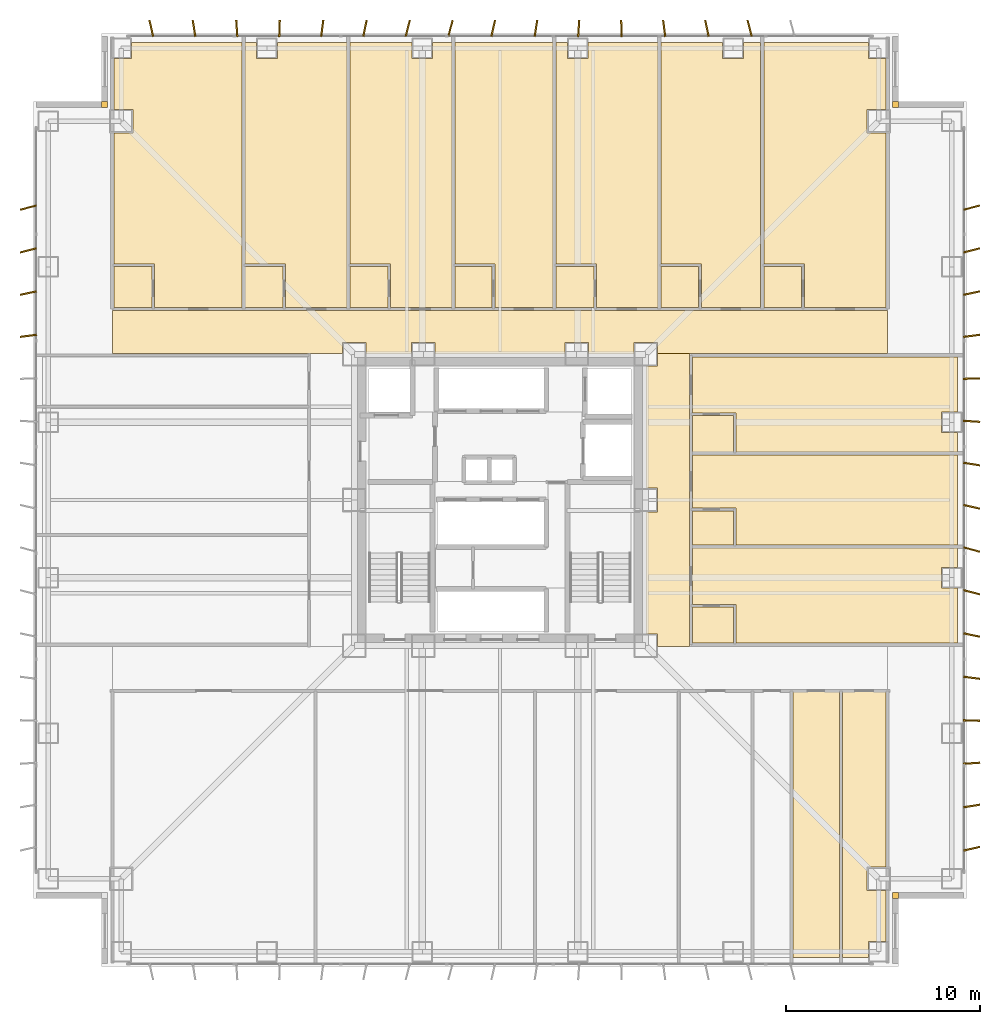
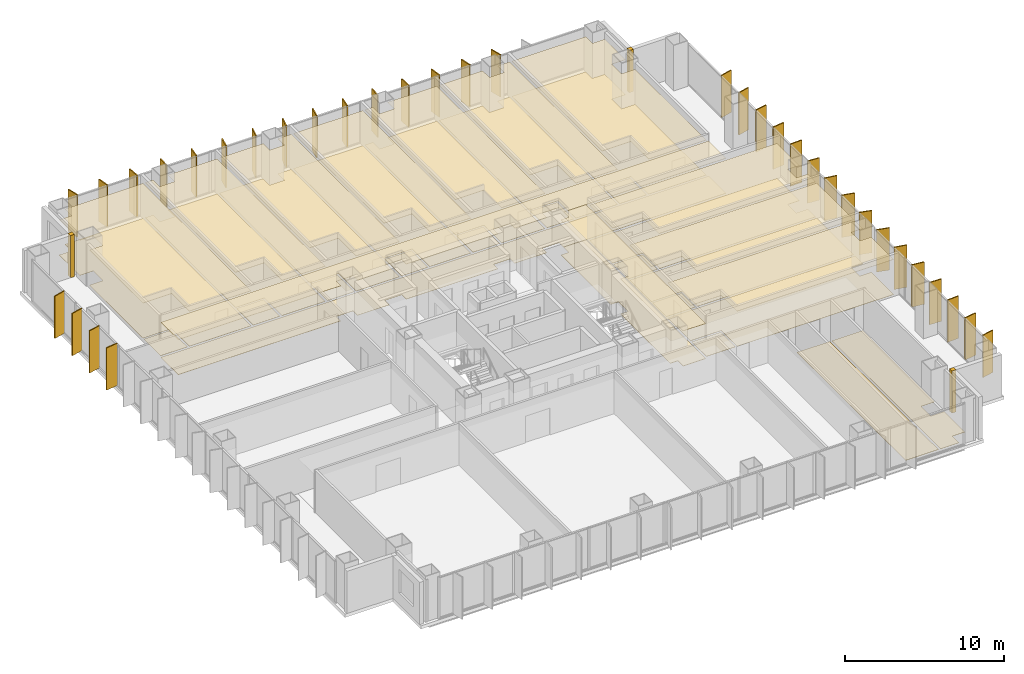
# One storey, part 16 of 17: 39 coverings, 35 shading devices.
"""IFC4 building model written with IfcOpenShell, lengths in metres."""

from ifc_helpers import new_model, si_unit, direction, frame, origin, origin_2d, place, context, subcontext, project, spatial, polyline, rectangle, outline, extrude, material, layer, layer_set, type_object, element, save


model = new_model("IFC4")

# Units and contexts
model_context = context("Model", 3, precision=1e-05, world=origin(), true_north=direction((0.0, 1.0)))
body_context = subcontext(model_context, "Body", "Model", "MODEL_VIEW")
ifc_project = project(units=[si_unit("LENGTHUNIT", "METRE"), si_unit("AREAUNIT", "SQUARE_METRE"), si_unit("VOLUMEUNIT", "CUBIC_METRE"), si_unit("PLANEANGLEUNIT", "RADIAN"), si_unit("MASSUNIT", "GRAM", prefix="KILO")], contexts=[model_context])

# Site, building, storey
site_placement = place(None, origin())
site = spatial("IfcSite", under=ifc_project, at=site_placement, CompositionType="ELEMENT")
building_placement = place(site_placement, origin())
building = spatial("IfcBuilding", under=site, at=building_placement, Name="Trevonay Congress Spire", CompositionType="ELEMENT")
storey_placement = place(building_placement, frame((0.0, 0.0, 69.0)))
storey = spatial("IfcBuildingStorey", under=building, at=storey_placement, Name="L17", CompositionType="ELEMENT", Elevation=69.0)

# Coverings
ifc_material_1 = material(Name="Acoustic Mineral Fibre Board", Category="gypsum")
ifc_layer_1 = layer(ifc_material_1, 0.02490234375, Name="Acoustic Mineral Fibre Board")
ifc_layer_set_1 = layer_set([ifc_layer_1], Name="Acoustic Mineral Fibre Board")
covering_type_1 = type_object("IfcCoveringType", Name="COV-CEIL-ACOUSTIC", PredefinedType="CEILING", material=ifc_layer_set_1)
covering_1_placement = place(storey_placement, frame((0.0, 0.0, 2.699951171875)))
element("IfcCovering", 1, at=covering_1_placement, inside=storey, type_object=covering_type_1, Name="L17 Hotel Floor Corridor North acoustic suspended ceiling", PredefinedType="CEILING", context=body_context, shape_type="SweptSolid", body=[
    extrude(outline(polyline([(-19.949951171875, 7.550048828125), (-19.949951171875, 9.75), (19.949951171875, 9.75), (19.949951171875, 7.550048828125), (8.110107421875, 7.550048828125), (8.110107421875, 8.110107421875), (6.889892578125, 8.110107421875), (6.889892578125, 7.550048828125), (4.56005859375, 7.550048828125), (4.56005859375, 8.110107421875), (3.340087890625, 8.110107421875), (3.340087890625, 7.550048828125), (-3.340087890625, 7.550048828125), (-3.340087890625, 8.110107421875), (-4.56005859375, 8.110107421875), (-4.56005859375, 7.550048828125), (-6.889892578125, 7.550048828125), (-6.889892578125, 8.110107421875), (-8.110107421875, 8.110107421875), (-8.110107421875, 7.550048828125), (-19.949951171875, 7.550048828125)])), origin(), (0.0, 0.0, 1.0), 0.025146484375),
])
covering_2_placement = place(storey_placement, frame((0.0, 0.0, 2.699951171875)))
element("IfcCovering", 2, at=covering_2_placement, inside=storey, type_object=covering_type_1, Name="L17 Hotel Floor Corridor East acoustic suspended ceiling", PredefinedType="CEILING", context=body_context, shape_type="SweptSolid", body=[
    extrude(outline(polyline([(9.75, -7.550048828125), (8.110107421875, -7.550048828125), (8.110107421875, -6.889892578125), (7.550048828125, -6.889892578125), (7.550048828125, -0.610107421875), (8.110107421875, -0.610107421875), (8.110107421875, 0.610107421875), (7.550048828125, 0.610107421875), (7.550048828125, 6.889892578125), (8.110107421875, 6.889892578125), (8.110107421875, 7.550048828125), (9.75, 7.550048828125), (9.75, -7.550048828125)])), origin(), (0.0, 0.0, 1.0), 0.025146484375),
])
covering_3_placement = place(storey_placement, frame((0.0, 0.0, 2.699951171875)))
element("IfcCovering", 3, at=covering_3_placement, inside=storey, type_object=covering_type_1, Name="L17 Corner Hotel Suite acoustic suspended ceiling", PredefinedType="CEILING", context=body_context, shape_type="SweptSolid", body=[
    extrude(outline(polyline([(-13.280029296875, 23.550048828125), (-13.280029296875, 9.909912109375), (-17.780029296875, 9.909912109375), (-17.780029296875, 12.139892578125), (-19.8701171875, 12.139892578125), (-19.8701171875, 18.889892578125), (-18.889892578125, 18.889892578125), (-18.889892578125, 20.110107421875), (-19.8701171875, 20.110107421875), (-19.8701171875, 22.715087890625), (-18.965087890625, 22.715087890625), (-18.965087890625, 23.550048828125), (-13.280029296875, 23.550048828125)])), origin(), (0.0, 0.0, 1.0), 0.025146484375),
])
covering_4_placement = place(storey_placement, frame((0.0, 0.0, 2.699951171875)))
element("IfcCovering", 4, at=covering_4_placement, inside=storey, type_object=covering_type_1, Name="L17 Hotel Guest Room acoustic suspended ceiling", PredefinedType="CEILING", context=body_context, shape_type="SweptSolid", body=[
    extrude(outline(polyline([(-7.8798828125, 23.550048828125), (-7.8798828125, 9.909912109375), (-11.030029296875, 9.909912109375), (-11.030029296875, 12.139892578125), (-13.1201171875, 12.139892578125), (-13.1201171875, 23.550048828125), (-12.534912109375, 23.550048828125), (-12.534912109375, 22.715087890625), (-11.465087890625, 22.715087890625), (-11.465087890625, 23.550048828125), (-7.8798828125, 23.550048828125)])), origin(), (0.0, 0.0, 1.0), 0.025146484375),
])
covering_5_placement = place(storey_placement, frame((0.0, 0.0, 2.699951171875)))
element("IfcCovering", 5, at=covering_5_placement, inside=storey, type_object=covering_type_1, Name="L17 Hotel Guest Room acoustic suspended ceiling", PredefinedType="CEILING", context=body_context, shape_type="SweptSolid", body=[
    extrude(outline(polyline([(-2.47998046875, 23.550048828125), (-2.47998046875, 9.909912109375), (-5.6298828125, 9.909912109375), (-5.6298828125, 12.139892578125), (-7.719970703125, 12.139892578125), (-7.719970703125, 23.550048828125), (-4.534912109375, 23.550048828125), (-4.534912109375, 22.715087890625), (-3.465087890625, 22.715087890625), (-3.465087890625, 23.550048828125), (-2.47998046875, 23.550048828125)])), origin(), (0.0, 0.0, 1.0), 0.025146484375),
])
covering_6_placement = place(storey_placement, frame((0.0, 0.0, 2.699951171875)))
element("IfcCovering", 6, at=covering_6_placement, inside=storey, type_object=covering_type_1, Name="L17 Hotel Guest Room acoustic suspended ceiling", PredefinedType="CEILING", context=body_context, shape_type="SweptSolid", body=[
    extrude(outline(polyline([(-0.264892578125, 9.909912109375), (2.719970703125, 9.909912109375), (2.719970703125, 23.550048828125), (-2.320068359375, 23.550048828125), (-2.320068359375, 12.139892578125), (-0.264892578125, 12.139892578125), (-0.264892578125, 9.909912109375)])), origin(), (0.0, 0.0, 1.0), 0.025146484375),
])
covering_7_placement = place(storey_placement, frame((0.0, 0.0, 2.699951171875)))
element("IfcCovering", 7, at=covering_7_placement, inside=storey, type_object=covering_type_1, Name="L17 Hotel Guest Room acoustic suspended ceiling", PredefinedType="CEILING", context=body_context, shape_type="SweptSolid", body=[
    extrude(outline(polyline([(8.1201171875, 23.550048828125), (8.1201171875, 9.909912109375), (4.969970703125, 9.909912109375), (4.969970703125, 12.139892578125), (2.8798828125, 12.139892578125), (2.8798828125, 23.550048828125), (3.465087890625, 23.550048828125), (3.465087890625, 22.715087890625), (4.534912109375, 22.715087890625), (4.534912109375, 23.550048828125), (8.1201171875, 23.550048828125)])), origin(), (0.0, 0.0, 1.0), 0.025146484375),
])
covering_8_placement = place(storey_placement, frame((0.0, 0.0, 2.699951171875)))
element("IfcCovering", 8, at=covering_8_placement, inside=storey, type_object=covering_type_1, Name="L17 Hotel Guest Room acoustic suspended ceiling", PredefinedType="CEILING", context=body_context, shape_type="SweptSolid", body=[
    extrude(outline(polyline([(13.419921875, 23.550048828125), (13.419921875, 9.909912109375), (10.3701171875, 9.909912109375), (10.3701171875, 12.139892578125), (8.280029296875, 12.139892578125), (8.280029296875, 23.550048828125), (11.465087890625, 23.550048828125), (11.465087890625, 22.715087890625), (12.534912109375, 22.715087890625), (12.534912109375, 23.550048828125), (13.419921875, 23.550048828125)])), origin(), (0.0, 0.0, 1.0), 0.025146484375),
])
covering_9_placement = place(storey_placement, frame((0.0, 0.0, 2.699951171875)))
element("IfcCovering", 9, at=covering_9_placement, inside=storey, type_object=covering_type_1, Name="L17 Corner Hotel Suite acoustic suspended ceiling", PredefinedType="CEILING", context=body_context, shape_type="SweptSolid", body=[
    extrude(outline(polyline([(19.8701171875, 9.909912109375), (15.669921875, 9.909912109375), (15.669921875, 12.139892578125), (13.580078125, 12.139892578125), (13.580078125, 23.550048828125), (18.965087890625, 23.550048828125), (18.965087890625, 22.715087890625), (19.8701171875, 22.715087890625), (19.8701171875, 20.110107421875), (18.889892578125, 20.110107421875), (18.889892578125, 18.889892578125), (19.8701171875, 18.889892578125), (19.8701171875, 9.909912109375)])), origin(), (0.0, 0.0, 1.0), 0.025146484375),
])
covering_10_placement = place(storey_placement, frame((0.0, 0.0, 2.699951171875)))
element("IfcCovering", 10, at=covering_10_placement, inside=storey, type_object=covering_type_1, Name="L17 Hotel Guest Room acoustic suspended ceiling", PredefinedType="CEILING", context=body_context, shape_type="SweptSolid", body=[
    extrude(outline(polyline([(9.909912109375, -2.47998046875), (23.550048828125, -2.47998046875), (23.550048828125, -3.465087890625), (22.715087890625, -3.465087890625), (22.715087890625, -4.534912109375), (23.550048828125, -4.534912109375), (23.550048828125, -7.3701171875), (12.139892578125, -7.3701171875), (12.139892578125, -5.3720703125), (9.909912109375, -5.3720703125), (9.909912109375, -2.47998046875)])), origin(), (0.0, 0.0, 1.0), 0.025146484375),
])
covering_11_placement = place(storey_placement, frame((0.0, 0.0, 2.699951171875)))
element("IfcCovering", 11, at=covering_11_placement, inside=storey, type_object=covering_type_1, Name="L17 Corner Hotel Suite acoustic suspended ceiling", PredefinedType="CEILING", context=body_context, shape_type="SweptSolid", body=[
    extrude(outline(polyline([(9.909912109375, -0.4169921875), (9.909912109375, 2.320068359375), (23.550048828125, 2.320068359375), (23.550048828125, -2.320068359375), (12.139892578125, -2.320068359375), (12.139892578125, -0.4169921875), (9.909912109375, -0.4169921875)])), origin(), (0.0, 0.0, 1.0), 0.025146484375),
])
covering_12_placement = place(storey_placement, frame((0.0, 0.0, 2.699951171875)))
element("IfcCovering", 12, at=covering_12_placement, inside=storey, type_object=covering_type_1, Name="L17 Hotel Guest Room acoustic suspended ceiling", PredefinedType="CEILING", context=body_context, shape_type="SweptSolid", body=[
    extrude(outline(polyline([(9.909912109375, 7.3701171875), (23.550048828125, 7.3701171875), (23.550048828125, 4.534912109375), (22.715087890625, 4.534912109375), (22.715087890625, 3.465087890625), (23.550048828125, 3.465087890625), (23.550048828125, 2.47998046875), (12.139892578125, 2.47998046875), (12.139892578125, 4.47802734375), (9.909912109375, 4.47802734375), (9.909912109375, 7.3701171875)])), origin(), (0.0, 0.0, 1.0), 0.025146484375),
])
ifc_material_2 = material(Name="Polished Granite Floor Tile", Category="masonry")
ifc_layer_2 = layer(ifc_material_2, 0.02001953125, Name="Polished Granite Floor Tile")
ifc_layer_set_2 = layer_set([ifc_layer_2], Name="Polished Granite Floor Tile")
covering_type_2 = type_object("IfcCoveringType", Name="COV-FLOOR-STONE", PredefinedType="FLOORING", material=ifc_layer_set_2)
covering_13_placement = place(storey_placement, origin())
element("IfcCovering", 13, at=covering_13_placement, inside=storey, type_object=covering_type_2, Name="L17 Hotel Floor Corridor North floor finish", PredefinedType="FLOORING", context=body_context, shape_type="SweptSolid", body=[
    extrude(outline(polyline([(-19.949951171875, 7.550048828125), (-19.949951171875, 9.75), (19.949951171875, 9.75), (19.949951171875, 7.550048828125), (8.110107421875, 7.550048828125), (8.110107421875, 8.110107421875), (6.889892578125, 8.110107421875), (6.889892578125, 7.550048828125), (4.56005859375, 7.550048828125), (4.56005859375, 8.110107421875), (3.340087890625, 8.110107421875), (3.340087890625, 7.550048828125), (-3.340087890625, 7.550048828125), (-3.340087890625, 8.110107421875), (-4.56005859375, 8.110107421875), (-4.56005859375, 7.550048828125), (-6.889892578125, 7.550048828125), (-6.889892578125, 8.110107421875), (-8.110107421875, 8.110107421875), (-8.110107421875, 7.550048828125), (-19.949951171875, 7.550048828125)])), origin(), (0.0, 0.0, 1.0), 0.02001953125),
])
covering_14_placement = place(storey_placement, origin())
element("IfcCovering", 14, at=covering_14_placement, inside=storey, type_object=covering_type_2, Name="L17 Hotel Floor Corridor East floor finish", PredefinedType="FLOORING", context=body_context, shape_type="SweptSolid", body=[
    extrude(outline(polyline([(9.75, -7.550048828125), (8.110107421875, -7.550048828125), (8.110107421875, -6.889892578125), (7.550048828125, -6.889892578125), (7.550048828125, -0.610107421875), (8.110107421875, -0.610107421875), (8.110107421875, 0.610107421875), (7.550048828125, 0.610107421875), (7.550048828125, 6.889892578125), (8.110107421875, 6.889892578125), (8.110107421875, 7.550048828125), (9.75, 7.550048828125), (9.75, -7.550048828125)])), origin(), (0.0, 0.0, 1.0), 0.02001953125),
])
covering_15_placement = place(storey_placement, origin())
element("IfcCovering", 15, at=covering_15_placement, inside=storey, type_object=covering_type_2, Name="L17 Female Restroom WC floor finish", PredefinedType="FLOORING", context=body_context, shape_type="SweptSolid", body=[
    extrude(outline(polyline([(15.080078125, -23.550048828125), (17.469970703125, -23.550048828125), (17.469970703125, -9.830078125), (15.080078125, -9.830078125), (15.080078125, -23.550048828125)])), origin(), (0.0, 0.0, 1.0), 0.02001953125),
])
covering_16_placement = place(storey_placement, origin())
element("IfcCovering", 16, at=covering_16_placement, inside=storey, type_object=covering_type_2, Name="L17 Floor Supplies and Copy Room floor finish", PredefinedType="FLOORING", context=body_context, shape_type="SweptSolid", body=[
    extrude(outline(polyline([(17.6298828125, -23.550048828125), (17.6298828125, -9.830078125), (19.8701171875, -9.830078125), (19.8701171875, -18.889892578125), (18.889892578125, -18.889892578125), (18.889892578125, -20.110107421875), (19.8701171875, -20.110107421875), (19.8701171875, -22.715087890625), (18.965087890625, -22.715087890625), (18.965087890625, -23.550048828125), (17.6298828125, -23.550048828125)])), origin(), (0.0, 0.0, 1.0), 0.02001953125),
])
covering_17_placement = place(storey_placement, origin())
element("IfcCovering", 17, at=covering_17_placement, inside=storey, type_object=covering_type_2, Name="L17 En-suite Bathroom floor finish", PredefinedType="FLOORING", context=body_context, shape_type="SweptSolid", body=[
    extrude(outline(polyline([(-19.8701171875, 9.909912109375), (-17.919921875, 9.909912109375), (-17.919921875, 12.02001953125), (-19.8701171875, 12.02001953125), (-19.8701171875, 9.909912109375)])), origin(), (0.0, 0.0, 1.0), 0.02001953125),
])
covering_18_placement = place(storey_placement, origin())
element("IfcCovering", 18, at=covering_18_placement, inside=storey, type_object=covering_type_2, Name="L17 En-suite Bathroom floor finish", PredefinedType="FLOORING", context=body_context, shape_type="SweptSolid", body=[
    extrude(outline(polyline([(-13.1201171875, 9.909912109375), (-11.169921875, 9.909912109375), (-11.169921875, 12.02001953125), (-13.1201171875, 12.02001953125), (-13.1201171875, 9.909912109375)])), origin(), (0.0, 0.0, 1.0), 0.02001953125),
])
covering_19_placement = place(storey_placement, origin())
element("IfcCovering", 19, at=covering_19_placement, inside=storey, type_object=covering_type_2, Name="L17 En-suite Bathroom floor finish", PredefinedType="FLOORING", context=body_context, shape_type="SweptSolid", body=[
    extrude(outline(polyline([(-7.719970703125, 9.909912109375), (-5.77001953125, 9.909912109375), (-5.77001953125, 12.02001953125), (-7.719970703125, 12.02001953125), (-7.719970703125, 9.909912109375)])), origin(), (0.0, 0.0, 1.0), 0.02001953125),
])
covering_20_placement = place(storey_placement, origin())
element("IfcCovering", 20, at=covering_20_placement, inside=storey, type_object=covering_type_2, Name="L17 En-suite Bathroom floor finish", PredefinedType="FLOORING", context=body_context, shape_type="SweptSolid", body=[
    extrude(outline(polyline([(-2.320068359375, 9.909912109375), (-0.405029296875, 9.909912109375), (-0.405029296875, 12.02001953125), (-2.320068359375, 12.02001953125), (-2.320068359375, 9.909912109375)])), origin(), (0.0, 0.0, 1.0), 0.02001953125),
])
covering_21_placement = place(storey_placement, origin())
element("IfcCovering", 21, at=covering_21_placement, inside=storey, type_object=covering_type_2, Name="L17 En-suite Bathroom floor finish", PredefinedType="FLOORING", context=body_context, shape_type="SweptSolid", body=[
    extrude(outline(polyline([(2.8798828125, 9.909912109375), (4.830078125, 9.909912109375), (4.830078125, 12.02001953125), (2.8798828125, 12.02001953125), (2.8798828125, 9.909912109375)])), origin(), (0.0, 0.0, 1.0), 0.02001953125),
])
covering_22_placement = place(storey_placement, origin())
element("IfcCovering", 22, at=covering_22_placement, inside=storey, type_object=covering_type_2, Name="L17 En-suite Bathroom floor finish", PredefinedType="FLOORING", context=body_context, shape_type="SweptSolid", body=[
    extrude(outline(polyline([(8.280029296875, 9.909912109375), (10.22998046875, 9.909912109375), (10.22998046875, 12.02001953125), (8.280029296875, 12.02001953125), (8.280029296875, 9.909912109375)])), origin(), (0.0, 0.0, 1.0), 0.02001953125),
])
covering_23_placement = place(storey_placement, origin())
element("IfcCovering", 23, at=covering_23_placement, inside=storey, type_object=covering_type_2, Name="L17 En-suite Bathroom floor finish", PredefinedType="FLOORING", context=body_context, shape_type="SweptSolid", body=[
    extrude(outline(polyline([(13.580078125, 9.909912109375), (15.530029296875, 9.909912109375), (15.530029296875, 12.02001953125), (13.580078125, 12.02001953125), (13.580078125, 9.909912109375)])), origin(), (0.0, 0.0, 1.0), 0.02001953125),
])
covering_24_placement = place(storey_placement, origin())
element("IfcCovering", 24, at=covering_24_placement, inside=storey, type_object=covering_type_2, Name="L17 En-suite Bathroom floor finish", PredefinedType="FLOORING", context=body_context, shape_type="SweptSolid", body=[
    extrude(outline(polyline([(9.909912109375, -7.3701171875), (12.02001953125, -7.3701171875), (12.02001953125, -5.511962890625), (9.909912109375, -5.511962890625), (9.909912109375, -7.3701171875)])), origin(), (0.0, 0.0, 1.0), 0.02001953125),
])
covering_25_placement = place(storey_placement, origin())
element("IfcCovering", 25, at=covering_25_placement, inside=storey, type_object=covering_type_2, Name="L17 En-suite Bathroom floor finish", PredefinedType="FLOORING", context=body_context, shape_type="SweptSolid", body=[
    extrude(outline(polyline([(9.909912109375, -2.320068359375), (12.02001953125, -2.320068359375), (12.02001953125, -0.556884765625), (9.909912109375, -0.556884765625), (9.909912109375, -2.320068359375)])), origin(), (0.0, 0.0, 1.0), 0.02001953125),
])
covering_26_placement = place(storey_placement, origin())
element("IfcCovering", 26, at=covering_26_placement, inside=storey, type_object=covering_type_2, Name="L17 En-suite Bathroom floor finish", PredefinedType="FLOORING", context=body_context, shape_type="SweptSolid", body=[
    extrude(outline(polyline([(9.909912109375, 2.47998046875), (12.02001953125, 2.47998046875), (12.02001953125, 4.337890625), (9.909912109375, 4.337890625), (9.909912109375, 2.47998046875)])), origin(), (0.0, 0.0, 1.0), 0.02001953125),
])
ifc_material_3 = material(Name="Engineered Oak Flooring", Category="wood")
ifc_layer_3 = layer(ifc_material_3, 0.01806640625, Name="Engineered Oak Flooring")
ifc_layer_set_3 = layer_set([ifc_layer_3], Name="Engineered Oak Flooring")
covering_type_3 = type_object("IfcCoveringType", Name="COV-FLOOR-TIMBER", PredefinedType="FLOORING", material=ifc_layer_set_3)
covering_27_placement = place(storey_placement, origin())
element("IfcCovering", 27, at=covering_27_placement, inside=storey, type_object=covering_type_3, Name="L17 Corner Hotel Suite floor finish", PredefinedType="FLOORING", context=body_context, shape_type="SweptSolid", body=[
    extrude(outline(polyline([(-13.280029296875, 23.550048828125), (-13.280029296875, 9.909912109375), (-17.780029296875, 9.909912109375), (-17.780029296875, 12.139892578125), (-19.8701171875, 12.139892578125), (-19.8701171875, 18.889892578125), (-18.889892578125, 18.889892578125), (-18.889892578125, 20.110107421875), (-19.8701171875, 20.110107421875), (-19.8701171875, 22.715087890625), (-18.965087890625, 22.715087890625), (-18.965087890625, 23.550048828125), (-13.280029296875, 23.550048828125)])), origin(), (0.0, 0.0, 1.0), 0.01806640625),
])
covering_28_placement = place(storey_placement, origin())
element("IfcCovering", 28, at=covering_28_placement, inside=storey, type_object=covering_type_3, Name="L17 Hotel Guest Room floor finish", PredefinedType="FLOORING", context=body_context, shape_type="SweptSolid", body=[
    extrude(outline(polyline([(-7.8798828125, 23.550048828125), (-7.8798828125, 9.909912109375), (-11.030029296875, 9.909912109375), (-11.030029296875, 12.139892578125), (-13.1201171875, 12.139892578125), (-13.1201171875, 23.550048828125), (-12.534912109375, 23.550048828125), (-12.534912109375, 22.715087890625), (-11.465087890625, 22.715087890625), (-11.465087890625, 23.550048828125), (-7.8798828125, 23.550048828125)])), origin(), (0.0, 0.0, 1.0), 0.01806640625),
])
covering_29_placement = place(storey_placement, origin())
element("IfcCovering", 29, at=covering_29_placement, inside=storey, type_object=covering_type_3, Name="L17 Hotel Guest Room floor finish", PredefinedType="FLOORING", context=body_context, shape_type="SweptSolid", body=[
    extrude(outline(polyline([(-2.47998046875, 23.550048828125), (-2.47998046875, 9.909912109375), (-5.6298828125, 9.909912109375), (-5.6298828125, 12.139892578125), (-7.719970703125, 12.139892578125), (-7.719970703125, 23.550048828125), (-4.534912109375, 23.550048828125), (-4.534912109375, 22.715087890625), (-3.465087890625, 22.715087890625), (-3.465087890625, 23.550048828125), (-2.47998046875, 23.550048828125)])), origin(), (0.0, 0.0, 1.0), 0.01806640625),
])
covering_30_placement = place(storey_placement, origin())
element("IfcCovering", 30, at=covering_30_placement, inside=storey, type_object=covering_type_3, Name="L17 Hotel Guest Room floor finish", PredefinedType="FLOORING", context=body_context, shape_type="SweptSolid", body=[
    extrude(outline(polyline([(-0.264892578125, 9.909912109375), (2.719970703125, 9.909912109375), (2.719970703125, 23.550048828125), (-2.320068359375, 23.550048828125), (-2.320068359375, 12.139892578125), (-0.264892578125, 12.139892578125), (-0.264892578125, 9.909912109375)])), origin(), (0.0, 0.0, 1.0), 0.01806640625),
])
covering_31_placement = place(storey_placement, origin())
element("IfcCovering", 31, at=covering_31_placement, inside=storey, type_object=covering_type_3, Name="L17 Hotel Guest Room floor finish", PredefinedType="FLOORING", context=body_context, shape_type="SweptSolid", body=[
    extrude(outline(polyline([(8.1201171875, 23.550048828125), (8.1201171875, 9.909912109375), (4.969970703125, 9.909912109375), (4.969970703125, 12.139892578125), (2.8798828125, 12.139892578125), (2.8798828125, 23.550048828125), (3.465087890625, 23.550048828125), (3.465087890625, 22.715087890625), (4.534912109375, 22.715087890625), (4.534912109375, 23.550048828125), (8.1201171875, 23.550048828125)])), origin(), (0.0, 0.0, 1.0), 0.01806640625),
])
covering_32_placement = place(storey_placement, origin())
element("IfcCovering", 32, at=covering_32_placement, inside=storey, type_object=covering_type_3, Name="L17 Hotel Guest Room floor finish", PredefinedType="FLOORING", context=body_context, shape_type="SweptSolid", body=[
    extrude(outline(polyline([(13.419921875, 23.550048828125), (13.419921875, 9.909912109375), (10.3701171875, 9.909912109375), (10.3701171875, 12.139892578125), (8.280029296875, 12.139892578125), (8.280029296875, 23.550048828125), (11.465087890625, 23.550048828125), (11.465087890625, 22.715087890625), (12.534912109375, 22.715087890625), (12.534912109375, 23.550048828125), (13.419921875, 23.550048828125)])), origin(), (0.0, 0.0, 1.0), 0.01806640625),
])
covering_33_placement = place(storey_placement, origin())
element("IfcCovering", 33, at=covering_33_placement, inside=storey, type_object=covering_type_3, Name="L17 Corner Hotel Suite floor finish", PredefinedType="FLOORING", context=body_context, shape_type="SweptSolid", body=[
    extrude(outline(polyline([(19.8701171875, 9.909912109375), (15.669921875, 9.909912109375), (15.669921875, 12.139892578125), (13.580078125, 12.139892578125), (13.580078125, 23.550048828125), (18.965087890625, 23.550048828125), (18.965087890625, 22.715087890625), (19.8701171875, 22.715087890625), (19.8701171875, 20.110107421875), (18.889892578125, 20.110107421875), (18.889892578125, 18.889892578125), (19.8701171875, 18.889892578125), (19.8701171875, 9.909912109375)])), origin(), (0.0, 0.0, 1.0), 0.01806640625),
])
covering_34_placement = place(storey_placement, origin())
element("IfcCovering", 34, at=covering_34_placement, inside=storey, type_object=covering_type_3, Name="L17 Hotel Guest Room floor finish", PredefinedType="FLOORING", context=body_context, shape_type="SweptSolid", body=[
    extrude(outline(polyline([(9.909912109375, -2.47998046875), (23.550048828125, -2.47998046875), (23.550048828125, -3.465087890625), (22.715087890625, -3.465087890625), (22.715087890625, -4.534912109375), (23.550048828125, -4.534912109375), (23.550048828125, -7.3701171875), (12.139892578125, -7.3701171875), (12.139892578125, -5.3720703125), (9.909912109375, -5.3720703125), (9.909912109375, -2.47998046875)])), origin(), (0.0, 0.0, 1.0), 0.01806640625),
])
covering_35_placement = place(storey_placement, origin())
element("IfcCovering", 35, at=covering_35_placement, inside=storey, type_object=covering_type_3, Name="L17 Corner Hotel Suite floor finish", PredefinedType="FLOORING", context=body_context, shape_type="SweptSolid", body=[
    extrude(outline(polyline([(9.909912109375, -0.4169921875), (9.909912109375, 2.320068359375), (23.550048828125, 2.320068359375), (23.550048828125, -2.320068359375), (12.139892578125, -2.320068359375), (12.139892578125, -0.4169921875), (9.909912109375, -0.4169921875)])), origin(), (0.0, 0.0, 1.0), 0.01806640625),
])
covering_36_placement = place(storey_placement, origin())
element("IfcCovering", 36, at=covering_36_placement, inside=storey, type_object=covering_type_3, Name="L17 Hotel Guest Room floor finish", PredefinedType="FLOORING", context=body_context, shape_type="SweptSolid", body=[
    extrude(outline(polyline([(9.909912109375, 7.3701171875), (23.550048828125, 7.3701171875), (23.550048828125, 4.534912109375), (22.715087890625, 4.534912109375), (22.715087890625, 3.465087890625), (23.550048828125, 3.465087890625), (23.550048828125, 2.47998046875), (12.139892578125, 2.47998046875), (12.139892578125, 4.47802734375), (9.909912109375, 4.47802734375), (9.909912109375, 7.3701171875)])), origin(), (0.0, 0.0, 1.0), 0.01806640625),
])
ifc_material_4 = material(Name="Pale Anodised Aluminium EN AW-6063-T6", Category="aluminium")
ifc_layer_4 = layer(ifc_material_4, 0.0400390625, Name="Pale Anodised Aluminium EN AW-6063-T6")
ifc_layer_set_4 = layer_set([ifc_layer_4], Name="Pale Anodised Aluminium EN AW-6063-T6")
covering_type_4 = type_object("IfcCoveringType", Name="COV-SPANDREL-PALE-METAL", PredefinedType="CLADDING", material=ifc_layer_set_4)
covering_37_placement = place(storey_placement, origin())
element("IfcCovering", 37, at=covering_37_placement, inside=storey, type_object=covering_type_4, Name="L17 SE re-entrant notch corner closure trim", PredefinedType="CLADDING", context=body_context, shape_type="SweptSolid", body=[
    extrude(outline(polyline([(20.199951171875, -20.5), (20.5, -20.5), (20.5, -20.199951171875), (20.199951171875, -20.199951171875), (20.199951171875, -20.5)])), origin(), (0.0, 0.0, 1.0), 3.25),
])
covering_38_placement = place(storey_placement, origin())
element("IfcCovering", 38, at=covering_38_placement, inside=storey, type_object=covering_type_4, Name="L17 NE re-entrant notch corner closure trim", PredefinedType="CLADDING", context=body_context, shape_type="SweptSolid", body=[
    extrude(outline(polyline([(20.199951171875, 20.199951171875), (20.5, 20.199951171875), (20.5, 20.5), (20.199951171875, 20.5), (20.199951171875, 20.199951171875)])), origin(), (0.0, 0.0, 1.0), 3.25),
])
covering_39_placement = place(storey_placement, origin())
element("IfcCovering", 39, at=covering_39_placement, inside=storey, type_object=covering_type_4, Name="L17 NW re-entrant notch corner closure trim", PredefinedType="CLADDING", context=body_context, shape_type="SweptSolid", body=[
    extrude(outline(polyline([(-20.5, 20.199951171875), (-20.199951171875, 20.199951171875), (-20.199951171875, 20.5), (-20.5, 20.5), (-20.5, 20.199951171875)])), origin(), (0.0, 0.0, 1.0), 3.25),
])

# Shading devices
shading_device_type = type_object("IfcShadingDeviceType", Name="SHD-FIN-Z1-PALE-METAL", PredefinedType="USERDEFINED", material=ifc_material_4)
for number, where, z_axis, x_axis, name in (
    (40, (-17.949951171875, 24.280029296875, 0.0), (0.0, 0.0, 1.0), (0.97440931131, 0.224780991261, 0.0), "L17 N vertical pale-metal solar fin 1"),
    (41, (-15.75, 24.280029296875, 0.0), (0.0, 0.0, 1.0), (0.987330860032, 0.158675054211, 0.0), "L17 N vertical pale-metal solar fin 2"),
    (42, (-13.550048828125, 24.280029296875, 0.0), (0.0, 0.0, 1.0), (0.997707959868, 0.067667029017, 0.0), "L17 N vertical pale-metal solar fin 3"),
    (43, (-11.35009765625, 24.280029296875, 0.0), (0.0, 0.0, 1.0), (0.999414947917, -0.034201781837, 0.0), "L17 N vertical pale-metal solar fin 4"),
    (44, (-9.14990234375, 24.280029296875, 0.0), (0.0, 0.0, 1.0), (0.991444861374, -0.13052619222, 0.0), "L17 N vertical pale-metal solar fin 5"),
    (45, (-6.949951171875, 24.280029296875, 0.0), (0.0, 0.0, 1.0), (0.978508985102, -0.206204185397, 0.0), "L17 N vertical pale-metal solar fin 6"),
    (46, (-4.75, 24.280029296875, 0.0), (0.0, 0.0, 1.0), (0.968191325187, -0.250211026602, 0.0), "L17 N vertical pale-metal solar fin 7"),
    (47, (-2.550048828125, 24.280029296875, 0.0), (0.0, 0.0, 1.0), (0.966510581262, -0.256626764599, 0.0), "L17 N vertical pale-metal solar fin 8"),
    (48, (-0.35009765625, 24.280029296875, 0.0), (0.0, 0.0, 1.0), (0.97440931131, -0.224780991261, 0.0), "L17 N vertical pale-metal solar fin 9"),
    (49, (1.85009765625, 24.280029296875, 0.0), (0.0, 0.0, 1.0), (0.987330860032, -0.158675054211, 0.0), "L17 N vertical pale-metal solar fin 10"),
    (50, (4.050048828125, 24.280029296875, 0.0), (0.0, 0.0, 1.0), (0.997707959868, -0.067667029017, 0.0), "L17 N vertical pale-metal solar fin 11"),
    (51, (6.25, 24.280029296875, 0.0), (0.0, 0.0, 1.0), (0.999414947917, 0.034201781837, 0.0), "L17 N vertical pale-metal solar fin 12"),
    (52, (8.449951171875, 24.280029296875, 0.0), (0.0, 0.0, 1.0), (0.991444861374, 0.13052619222, 0.0), "L17 N vertical pale-metal solar fin 13"),
    (53, (10.64990234375, 24.280029296875, 0.0), (0.0, 0.0, 1.0), (0.978508985102, 0.206204185397, 0.0), "L17 N vertical pale-metal solar fin 14"),
    (54, (12.85009765625, 24.280029296875, 0.0), (0.0, 0.0, 1.0), (0.968191325187, 0.250211026602, 0.0), "L17 N vertical pale-metal solar fin 15"),
    (55, (-24.280029296875, 8.449951171875, 0.0), (0.0, 0.0, 1.0), (-0.13052619222, 0.991444861374, 0.0), "L17 W vertical pale-metal solar fin 13"),
    (56, (-24.280029296875, 10.64990234375, 0.0), (0.0, 0.0, 1.0), (-0.206204185397, 0.978508985102, 0.0), "L17 W vertical pale-metal solar fin 14"),
    (57, (-24.280029296875, 12.85009765625, 0.0), (0.0, 0.0, 1.0), (-0.250211026602, 0.968191325187, 0.0), "L17 W vertical pale-metal solar fin 15"),
    (58, (-24.280029296875, 15.050048828125, 0.0), (0.0, 0.0, 1.0), (-0.256626764599, 0.966510581262, 0.0), "L17 W vertical pale-metal solar fin 16"),
    (59, (24.280029296875, -17.949951171875, 0.0), (0.0, 0.0, 1.0), (-0.224780991261, 0.97440931131, 0.0), "L17 E vertical pale-metal solar fin 1"),
    (60, (24.280029296875, -15.75, 0.0), (0.0, 0.0, 1.0), (-0.158675054211, 0.987330860032, 0.0), "L17 E vertical pale-metal solar fin 2"),
    (61, (24.280029296875, -13.550048828125, 0.0), (0.0, 0.0, 1.0), (-0.067667029017, 0.997707959868, 0.0), "L17 E vertical pale-metal solar fin 3"),
    (62, (24.280029296875, -11.35009765625, 0.0), (0.0, 0.0, 1.0), (0.034201781837, 0.999414947917, 0.0), "L17 E vertical pale-metal solar fin 4"),
    (63, (24.280029296875, -9.14990234375, 0.0), (0.0, 0.0, 1.0), (0.13052619222, 0.991444861374, 0.0), "L17 E vertical pale-metal solar fin 5"),
    (64, (24.280029296875, -6.949951171875, 0.0), (0.0, 0.0, 1.0), (0.206204185397, 0.978508985102, 0.0), "L17 E vertical pale-metal solar fin 6"),
    (65, (24.280029296875, -4.75, 0.0), (0.0, 0.0, 1.0), (0.250211026602, 0.968191325187, 0.0), "L17 E vertical pale-metal solar fin 7"),
    (66, (24.280029296875, -2.550048828125, 0.0), (0.0, 0.0, 1.0), (0.256626764599, 0.966510581262, 0.0), "L17 E vertical pale-metal solar fin 8"),
    (67, (24.280029296875, -0.35009765625, 0.0), (0.0, 0.0, 1.0), (0.224780991261, 0.97440931131, 0.0), "L17 E vertical pale-metal solar fin 9"),
    (68, (24.280029296875, 1.85009765625, 0.0), (0.0, 0.0, 1.0), (0.158675054211, 0.987330860032, 0.0), "L17 E vertical pale-metal solar fin 10"),
    (69, (24.280029296875, 4.050048828125, 0.0), (0.0, 0.0, 1.0), (0.067667029017, 0.997707959868, 0.0), "L17 E vertical pale-metal solar fin 11"),
    (70, (24.280029296875, 6.25, 0.0), (0.0, 0.0, 1.0), (-0.034201781837, 0.999414947917, 0.0), "L17 E vertical pale-metal solar fin 12"),
    (71, (24.280029296875, 8.449951171875, 0.0), (0.0, 0.0, 1.0), (-0.13052619222, 0.991444861374, 0.0), "L17 E vertical pale-metal solar fin 13"),
    (72, (24.280029296875, 10.64990234375, 0.0), (0.0, 0.0, 1.0), (-0.206204185397, 0.978508985102, 0.0), "L17 E vertical pale-metal solar fin 14"),
    (73, (24.280029296875, 12.85009765625, 0.0), (0.0, 0.0, 1.0), (-0.250211026602, 0.968191325187, 0.0), "L17 E vertical pale-metal solar fin 15"),
    (74, (24.280029296875, 15.050048828125, 0.0), (0.0, 0.0, 1.0), (-0.256626764599, 0.966510581262, 0.0), "L17 E vertical pale-metal solar fin 16"),
):
    element("IfcShadingDevice", number, at=place(storey_placement, frame(where, z_axis=z_axis, x_axis=x_axis)), inside=storey, type_object=shading_device_type, Name=name, ObjectType="SOLAR FIN", PredefinedType="USERDEFINED", context=body_context, shape_type="SweptSolid", body=[
        extrude(rectangle(XDim=0.080078125, YDim=0.85009765625, at=origin_2d()), origin(), (0.0, 0.0, 1.0), 3.25),
    ])

save(model, "model.ifc")
